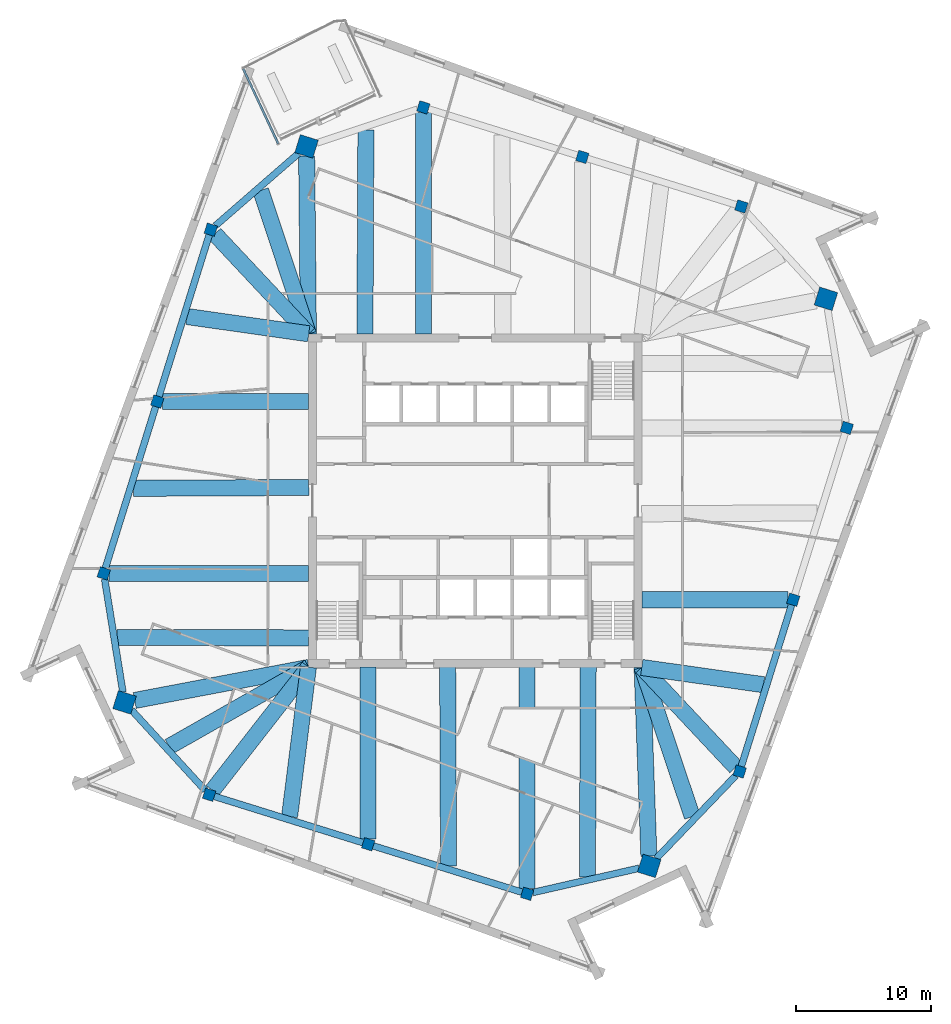
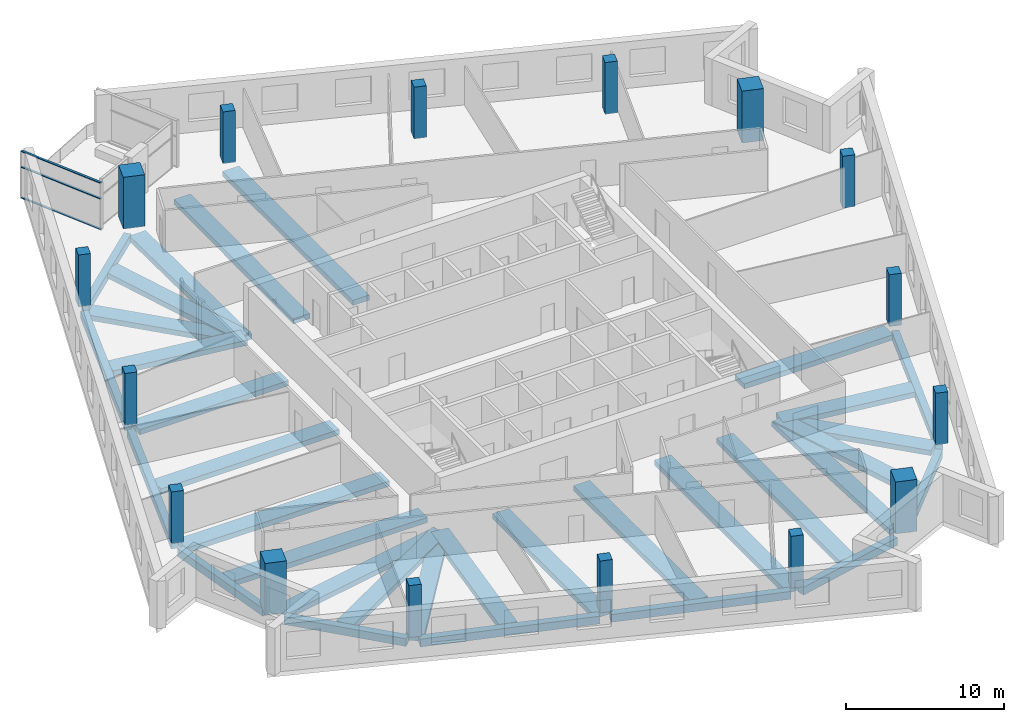
# One storey, part 1 of 13: 33 beams, 16 columns, 3 members, 1 element without a shape of its own.
"""IFC4 building model written with IfcOpenShell, lengths in metres."""

from ifc_helpers import new_model, si_unit, direction, frame, origin, origin_2d, place, context, subcontext, project, spatial, rectangle, extrude, material, material_profile, profile_set, type_object, element, aggregate, save


model = new_model("IFC4")

# Units and contexts
model_context = context("Model", 3, precision=1e-05, world=origin(), true_north=direction((0.0, 1.0)))
body_context = subcontext(model_context, "Body", "Model", "MODEL_VIEW")
ifc_project = project(units=[si_unit("LENGTHUNIT", "METRE"), si_unit("AREAUNIT", "SQUARE_METRE"), si_unit("VOLUMEUNIT", "CUBIC_METRE"), si_unit("PLANEANGLEUNIT", "RADIAN"), si_unit("MASSUNIT", "GRAM", prefix="KILO")], contexts=[model_context])

# Site, building, storey
site_placement = place(None, origin())
site = spatial("IfcSite", under=ifc_project, at=site_placement, CompositionType="ELEMENT")
building_placement = place(site_placement, origin())
building = spatial("IfcBuilding", under=site, at=building_placement, Name="Dilmun Exchange Tower", CompositionType="ELEMENT")
storey_placement = place(building_placement, frame((0.0, 0.0, 308.5)))
storey = spatial("IfcBuildingStorey", under=building, at=storey_placement, Name="L73", CompositionType="ELEMENT", Elevation=308.5)

# Columns
ifc_material_1 = material(Name="Concrete C50/60", Category="concrete")
ifc_material_profile_1 = material_profile(ifc_material_1, rectangle(XDim=1.39990234375, YDim=1.39990234375, at=origin_2d()), Name="1400 x 1400")
ifc_profile_set_1 = profile_set([ifc_material_profile_1], Name="Concrete C50/60")
column_type_1 = type_object("IfcColumnType", Name="RC mega column 1400 x 1400 C50/60", PredefinedType="COLUMN", material=ifc_profile_set_1)
for number, where, z_axis, x_axis, name in (
    (1, (-12.537109375, 26.322021484375, 0.0), (0.0, 0.0, 1.0), (0.297503182032, 0.954720826567, 0.0), "Mega column M1"),
    (2, (-26.06005859375, -14.9951171875, 0.0), (0.0, 0.0, 1.0), (0.297503182032, 0.954720826567, 0.0), "Mega column M2"),
    (3, (12.928955078125, -27.14404296875, 0.0), (0.0, 0.0, 1.0), (0.297503182032, 0.954720826567, 0.0), "Mega column M3"),
    (4, (26.06005859375, 14.9951171875, 0.0), (0.0, 0.0, 1.0), (0.297503182032, 0.954720826567, 0.0), "Mega column M4"),
):
    element("IfcColumn", number, at=place(storey_placement, frame(where, z_axis=z_axis, x_axis=x_axis)), inside=storey, type_object=column_type_1, Name=name, PredefinedType="COLUMN", context=body_context, shape_type="SweptSolid", body=[
        extrude(rectangle(XDim=1.39990234375, YDim=1.39990234375, at=origin_2d()), origin(), (0.0, 0.0, 1.0), 4.0),
    ])
ifc_material_profile_2 = material_profile(ifc_material_1, rectangle(XDim=0.800048828125, YDim=0.800048828125, at=origin_2d()), Name="800 x 800")
ifc_profile_set_2 = profile_set([ifc_material_profile_2], Name="Concrete C50/60")
column_type_2 = type_object("IfcColumnType", Name="RC ring column 800 x 800 C50/60", PredefinedType="COLUMN", material=ifc_profile_set_2)
for number, where, z_axis, x_axis, name in (
    (5, (-19.64990234375, 20.133056640625, 0.0), (0.0, 0.0, 1.0), (0.297503182032, 0.954720826567, 0.0), "Ring column R01"),
    (6, (-23.62890625, 7.363037109375, 0.0), (0.0, 0.0, 1.0), (0.297503182032, 0.954720826567, 0.0), "Ring column R02"),
    (7, (-27.60791015625, -5.406005859375, 0.0), (0.0, 0.0, 1.0), (0.297503182032, 0.954720826567, 0.0), "Ring column R03"),
    (8, (-19.77294921875, -21.85693359375, 0.0), (0.0, 0.0, 1.0), (0.297503182032, 0.954720826567, 0.0), "Ring column R04"),
    (9, (-7.9580078125, -25.5390625, 0.0), (0.0, 0.0, 1.0), (0.297503182032, 0.954720826567, 0.0), "Ring column R05"),
    (10, (3.85595703125, -29.219970703125, 0.0), (0.0, 0.0, 1.0), (0.297503182032, 0.954720826567, 0.0), "Ring column R06"),
    (11, (19.64990234375, -20.133056640625, 0.0), (0.0, 0.0, 1.0), (0.297503182032, 0.954720826567, 0.0), "Ring column R07"),
    (12, (23.62890625, -7.363037109375, 0.0), (0.0, 0.0, 1.0), (0.297503182032, 0.954720826567, 0.0), "Ring column R08"),
    (13, (27.60791015625, 5.406005859375, 0.0), (0.0, 0.0, 1.0), (0.297503182032, 0.954720826567, 0.0), "Ring column R09"),
    (14, (19.77294921875, 21.85693359375, 0.0), (0.0, 0.0, 1.0), (0.297503182032, 0.954720826567, 0.0), "Ring column R10"),
    (15, (7.9580078125, 25.5390625, 0.0), (0.0, 0.0, 1.0), (0.297503182032, 0.954720826567, 0.0), "Ring column R11"),
    (16, (-3.85595703125, 29.219970703125, 0.0), (0.0, 0.0, 1.0), (0.297503182032, 0.954720826567, 0.0), "Ring column R12"),
):
    element("IfcColumn", number, at=place(storey_placement, frame(where, z_axis=z_axis, x_axis=x_axis)), inside=storey, type_object=column_type_2, Name=name, PredefinedType="COLUMN", context=body_context, shape_type="SweptSolid", body=[
        extrude(rectangle(XDim=0.800048828125, YDim=0.800048828125, at=origin_2d()), origin(), (0.0, 0.0, 1.0), 4.0),
    ])

# Curtain wall, members
ifc_material_2 = material(Name="Anodised aluminium and clear glass", Category="aluminium")
curtain_wall_type = type_object("IfcCurtainWallType", Name="Garden corner glazing", PredefinedType="NOTDEFINED", material=ifc_material_2)
curtain_wall_placement = place(storey_placement, origin())
curtain_wall = element("IfcCurtainWall", 17, at=curtain_wall_placement, inside=storey, type_object=curtain_wall_type, Name="Garden corner glazing run GC3.1", PredefinedType="NOTDEFINED")
ifc_material_3 = material(Name="Anodised aluminium", Category="aluminium")
ifc_material_profile_3 = material_profile(ifc_material_3, rectangle(XDim=0.159912109375, YDim=0.06005859375, at=origin_2d()), Name="AL 60x160")
ifc_profile_set_3 = profile_set([ifc_material_profile_3], Name="Anodised aluminium")
member_type = type_object("IfcMemberType", Name="Garden corner glazing transom 60 x 160", PredefinedType="USERDEFINED", material=ifc_profile_set_3)
member_1_placement = place(storey_placement, frame((-14.649658203125, 26.5234375, 0.030029296875), z_axis=(-0.422610567282, 0.906311374982, 0.0), x_axis=(-0.906311374982, -0.422610567282, 0.0)))
member_1 = element("IfcMember", 18, at=member_1_placement, type_object=member_type, Name="GC3.1 transom 1.1", ObjectType="TRANSOM", PredefinedType="USERDEFINED", context=body_context, shape_type="SweptSolid", body=[
    extrude(rectangle(XDim=0.159912109375, YDim=0.06005859375, at=origin_2d()), origin(), (0.0, 0.0, 1.0), 6.12646484375),
])
member_2_placement = place(storey_placement, frame((-14.649658203125, 26.5234375, 2.39990234375), z_axis=(-0.422610567282, 0.906311374982, 0.0), x_axis=(-0.906311374982, -0.422610567282, 0.0)))
member_2 = element("IfcMember", 19, at=member_2_placement, type_object=member_type, Name="GC3.1 transom 1.2", ObjectType="TRANSOM", PredefinedType="USERDEFINED", context=body_context, shape_type="SweptSolid", body=[
    extrude(rectangle(XDim=0.159912109375, YDim=0.06005859375, at=origin_2d()), origin(), (0.0, 0.0, 1.0), 6.12646484375),
])
member_3_placement = place(storey_placement, frame((-14.649658203125, 26.5234375, 3.6201171875), z_axis=(-0.422610567282, 0.906311374982, 0.0), x_axis=(-0.906311374982, -0.422610567282, 0.0)))
member_3 = element("IfcMember", 20, at=member_3_placement, type_object=member_type, Name="GC3.1 transom 1.3", ObjectType="TRANSOM", PredefinedType="USERDEFINED", context=body_context, shape_type="SweptSolid", body=[
    extrude(rectangle(XDim=0.159912109375, YDim=0.06005859375, at=origin_2d()), origin(), (0.0, 0.0, 1.0), 6.12646484375),
])
aggregate(curtain_wall, [member_1, member_2, member_3])

# Beams
ifc_material_4 = material(Name="Concrete C40/50", Category="concrete")
ifc_material_profile_4 = material_profile(ifc_material_4, rectangle(XDim=1.199951171875, YDim=0.39990234375, at=origin_2d()), Name="1200 x 400")
ifc_profile_set_4 = profile_set([ifc_material_profile_4], Name="Concrete C40/50")
beam_type_1 = type_object("IfcBeamType", Name="RC band beam 1200 x 400 C40/50", PredefinedType="BEAM", material=ifc_profile_set_4)
beam_1_placement = place(storey_placement, frame((-12.530029296875, 25.613525390625, -0.64990234375), z_axis=(0.009845926203, -0.999951527694, 0.0), x_axis=(0.999951527694, 0.009845926203, 0.0)))
element("IfcBeam", 21, at=beam_1_placement, inside=storey, type_object=beam_type_1, Name="Band beam 1", PredefinedType="BEAM", context=body_context, shape_type="SweptSolid", body=[
    extrude(rectangle(XDim=1.199951171875, YDim=0.39990234375, at=origin_2d()), origin(), (0.0, 0.0, 1.0), 13.2412109375),
])
beam_2_placement = place(storey_placement, frame((-19.35400390625, 19.8173828125, -0.64990234375), z_axis=(0.683952281649, -0.729526748261, 0.0), x_axis=(0.729526748261, 0.683952281649, 0.0)))
element("IfcBeam", 22, at=beam_2_placement, inside=storey, type_object=beam_type_1, Name="Band beam 2", PredefinedType="BEAM", context=body_context, shape_type="SweptSolid", body=[
    extrude(rectangle(XDim=1.199951171875, YDim=0.39990234375, at=origin_2d()), origin(), (0.0, 0.0, 1.0), 10.1943359375),
])
beam_3_placement = place(storey_placement, frame((-23.237060546875, 7.363037109375, -0.64990234375), z_axis=(1.0, 0.0, 0.0), x_axis=(0.0, 1.0, 0.0)))
element("IfcBeam", 23, at=beam_3_placement, inside=storey, type_object=beam_type_1, Name="Band beam 3", PredefinedType="BEAM", context=body_context, shape_type="SweptSolid", body=[
    extrude(rectangle(XDim=1.199951171875, YDim=0.39990234375, at=origin_2d()), origin(), (0.0, 0.0, 1.0), 10.864013671875),
])
beam_4_placement = place(storey_placement, frame((-27.216064453125, -5.406005859375, -0.64990234375), z_axis=(1.0, 0.0, 0.0), x_axis=(0.0, 1.0, 0.0)))
element("IfcBeam", 24, at=beam_4_placement, inside=storey, type_object=beam_type_1, Name="Band beam 4", PredefinedType="BEAM", context=body_context, shape_type="SweptSolid", body=[
    extrude(rectangle(XDim=1.199951171875, YDim=0.39990234375, at=origin_2d()), origin(), (0.0, 0.0, 1.0), 14.843017578125),
])
beam_5_placement = place(storey_placement, frame((-25.30712890625, -14.85205078125, -0.64990234375), z_axis=(0.982429348436, 0.18663487169, 0.0), x_axis=(-0.18663487169, 0.982429348436, 0.0)))
element("IfcBeam", 25, at=beam_5_placement, inside=storey, type_object=beam_type_1, Name="Band beam 5", PredefinedType="BEAM", context=body_context, shape_type="SweptSolid", body=[
    extrude(rectangle(XDim=1.199951171875, YDim=0.39990234375, at=origin_2d()), origin(), (0.0, 0.0, 1.0), 13.164794921875),
])
beam_6_placement = place(storey_placement, frame((-19.52685546875, -21.541259765625, -0.64990234375), z_axis=(0.614856714099, 0.788638840743, 0.0), x_axis=(-0.788638840743, 0.614856714099, 0.0)))
element("IfcBeam", 26, at=beam_6_placement, inside=storey, type_object=beam_type_1, Name="Band beam 6", PredefinedType="BEAM", context=body_context, shape_type="SweptSolid", body=[
    extrude(rectangle(XDim=1.199951171875, YDim=0.39990234375, at=origin_2d()), origin(), (0.0, 0.0, 1.0), 11.6181640625),
])
beam_7_placement = place(storey_placement, frame((-7.9580078125, -25.14697265625, -0.64990234375), z_axis=(0.0, 1.0, 0.0), x_axis=(-1.0, 0.0, 0.0)))
element("IfcBeam", 27, at=beam_7_placement, inside=storey, type_object=beam_type_1, Name="Band beam 7", PredefinedType="BEAM", context=body_context, shape_type="SweptSolid", body=[
    extrude(rectangle(XDim=1.199951171875, YDim=0.39990234375, at=origin_2d()), origin(), (0.0, 0.0, 1.0), 12.77392578125),
])
beam_8_placement = place(storey_placement, frame((3.85595703125, -28.827880859375, -0.64990234375), z_axis=(0.0, 1.0, 0.0), x_axis=(-1.0, 0.0, 0.0)))
element("IfcBeam", 28, at=beam_8_placement, inside=storey, type_object=beam_type_1, Name="Band beam 8", PredefinedType="BEAM", context=body_context, shape_type="SweptSolid", body=[
    extrude(rectangle(XDim=1.199951171875, YDim=0.39990234375, at=origin_2d()), origin(), (0.0, 0.0, 1.0), 16.454833984375),
])
beam_9_placement = place(storey_placement, frame((12.9033203125, -26.429443359375, -0.64990234375), z_axis=(-0.035860549827, 0.999356803632, 0.0), x_axis=(-0.999356803632, -0.035860549827, 0.0)))
element("IfcBeam", 29, at=beam_9_placement, inside=storey, type_object=beam_type_1, Name="Band beam 9", PredefinedType="BEAM", context=body_context, shape_type="SweptSolid", body=[
    extrude(rectangle(XDim=1.199951171875, YDim=0.39990234375, at=origin_2d()), origin(), (0.0, 0.0, 1.0), 14.0654296875),
])
beam_10_placement = place(storey_placement, frame((19.35400390625, -19.8173828125, -0.64990234375), z_axis=(-0.683952281649, 0.729526748261, 0.0), x_axis=(-0.729526748261, -0.683952281649, 0.0)))
element("IfcBeam", 30, at=beam_10_placement, inside=storey, type_object=beam_type_1, Name="Band beam 10", PredefinedType="BEAM", context=body_context, shape_type="SweptSolid", body=[
    extrude(rectangle(XDim=1.199951171875, YDim=0.39990234375, at=origin_2d()), origin(), (0.0, 0.0, 1.0), 10.1943359375),
])
beam_11_placement = place(storey_placement, frame((23.237060546875, -7.363037109375, -0.64990234375), z_axis=(-1.0, 0.0, 0.0), x_axis=(0.0, -1.0, 0.0)))
element("IfcBeam", 31, at=beam_11_placement, inside=storey, type_object=beam_type_1, Name="Band beam 11", PredefinedType="BEAM", context=body_context, shape_type="SweptSolid", body=[
    extrude(rectangle(XDim=1.199951171875, YDim=0.39990234375, at=origin_2d()), origin(), (0.0, 0.0, 1.0), 10.864013671875),
])
beam_12_placement = place(storey_placement, frame((-3.85595703125, 28.827880859375, -0.64990234375), z_axis=(0.0, -1.0, 0.0), x_axis=(1.0, 0.0, 0.0)))
element("IfcBeam", 32, at=beam_12_placement, inside=storey, type_object=beam_type_1, Name="Band beam 16", PredefinedType="BEAM", context=body_context, shape_type="SweptSolid", body=[
    extrude(rectangle(XDim=1.199951171875, YDim=0.39990234375, at=origin_2d()), origin(), (0.0, 0.0, 1.0), 16.454833984375),
])
beam_13_placement = place(storey_placement, frame((-15.947021484375, 23.059326171875, -0.550048828125), z_axis=(0.315752926282, -0.948841445946, 0.0), x_axis=(0.948841445946, 0.315752926282, 0.0)))
element("IfcBeam", 33, at=beam_13_placement, inside=storey, type_object=beam_type_1, Name="Band beam 17", PredefinedType="BEAM", context=body_context, shape_type="SweptSolid", body=[
    extrude(rectangle(XDim=1.199951171875, YDim=0.39990234375, at=origin_2d()), origin(), (0.0, 0.0, 1.0), 11.260986328125),
])
beam_14_placement = place(storey_placement, frame((-21.426513671875, 13.681640625, -0.550048828125), z_axis=(0.990066629404, -0.140598966357, 0.0), x_axis=(0.140598966357, 0.990066629404, 0.0)))
element("IfcBeam", 34, at=beam_14_placement, inside=storey, type_object=beam_type_1, Name="Band beam 18", PredefinedType="BEAM", context=body_context, shape_type="SweptSolid", body=[
    extrude(rectangle(XDim=1.199951171875, YDim=0.39990234375, at=origin_2d()), origin(), (0.0, 0.0, 1.0), 9.14404296875),
])
beam_15_placement = place(storey_placement, frame((-25.405517578125, 0.912109375, -0.550048828125), z_axis=(0.999987018468, 0.005095379798, 0.0), x_axis=(-0.005095379798, 0.999987018468, 0.0)))
element("IfcBeam", 35, at=beam_15_placement, inside=storey, type_object=beam_type_1, Name="Band beam 19", PredefinedType="BEAM", context=body_context, shape_type="SweptSolid", body=[
    extrude(rectangle(XDim=1.199951171875, YDim=0.39990234375, at=origin_2d()), origin(), (0.0, 0.0, 1.0), 13.03271484375),
])
beam_16_placement = place(storey_placement, frame((-26.614013671875, -10.1650390625, -0.550048828125), z_axis=(0.999996910379, -0.002485806038, 0.0), x_axis=(0.002485806038, 0.999996910379, 0.0)))
element("IfcBeam", 36, at=beam_16_placement, inside=storey, type_object=beam_type_1, Name="Band beam 20", PredefinedType="BEAM", context=body_context, shape_type="SweptSolid", body=[
    extrude(rectangle(XDim=1.199951171875, YDim=0.39990234375, at=origin_2d()), origin(), (0.0, 0.0, 1.0), 14.240966796875),
])
beam_17_placement = place(storey_placement, frame((-22.752197265625, -18.275390625, -0.550048828125), z_axis=(0.869690188955, 0.493597989496, 0.0), x_axis=(-0.493597989496, 0.869690188955, 0.0)))
element("IfcBeam", 37, at=beam_17_placement, inside=storey, type_object=beam_type_1, Name="Band beam 21", PredefinedType="BEAM", context=body_context, shape_type="SweptSolid", body=[
    extrude(rectangle(XDim=1.199951171875, YDim=0.39990234375, at=origin_2d()), origin(), (0.0, 0.0, 1.0), 11.93017578125),
])
beam_18_placement = place(storey_placement, frame((-13.79931640625, -23.485107421875, -0.550048828125), z_axis=(0.125252659456, 0.992124876867, 0.0), x_axis=(-0.992124876867, 0.125252659456, 0.0)))
element("IfcBeam", 38, at=beam_18_placement, inside=storey, type_object=beam_type_1, Name="Band beam 22", PredefinedType="BEAM", context=body_context, shape_type="SweptSolid", body=[
    extrude(rectangle(XDim=1.199951171875, YDim=0.39990234375, at=origin_2d()), origin(), (0.0, 0.0, 1.0), 11.199951171875),
])
beam_19_placement = place(storey_placement, frame((-1.984619140625, -27.16650390625, -0.550048828125), z_axis=(-0.004488848064, 0.999989925071, 0.0), x_axis=(-0.999989925071, -0.004488848064, 0.0)))
element("IfcBeam", 39, at=beam_19_placement, inside=storey, type_object=beam_type_1, Name="Band beam 23", PredefinedType="BEAM", context=body_context, shape_type="SweptSolid", body=[
    extrude(rectangle(XDim=1.199951171875, YDim=0.39990234375, at=origin_2d()), origin(), (0.0, 0.0, 1.0), 14.793701171875),
])
beam_20_placement = place(storey_placement, frame((8.3427734375, -27.964599609375, -0.550048828125), z_axis=(0.003194321582, 0.999994898142, 0.0), x_axis=(-0.999994898142, 0.003194321582, 0.0)))
element("IfcBeam", 40, at=beam_20_placement, inside=storey, type_object=beam_type_1, Name="Band beam 24", PredefinedType="BEAM", context=body_context, shape_type="SweptSolid", body=[
    extrude(rectangle(XDim=1.199951171875, YDim=0.39990234375, at=origin_2d()), origin(), (0.0, 0.0, 1.0), 15.591552734375),
])
beam_21_placement = place(storey_placement, frame((16.12841796875, -23.484130859375, -0.550048828125), z_axis=(-0.318844720982, 0.947806965527, 0.0), x_axis=(-0.947806965527, -0.318844720982, 0.0)))
element("IfcBeam", 41, at=beam_21_placement, inside=storey, type_object=beam_type_1, Name="Band beam 25", PredefinedType="BEAM", context=body_context, shape_type="SweptSolid", body=[
    extrude(rectangle(XDim=1.199951171875, YDim=0.39990234375, at=origin_2d()), origin(), (0.0, 0.0, 1.0), 11.721435546875),
])
beam_22_placement = place(storey_placement, frame((21.426513671875, -13.681640625, -0.550048828125), z_axis=(-0.990066629404, 0.140598966357, 0.0), x_axis=(-0.140598966357, -0.990066629404, 0.0)))
element("IfcBeam", 42, at=beam_22_placement, inside=storey, type_object=beam_type_1, Name="Band beam 26", PredefinedType="BEAM", context=body_context, shape_type="SweptSolid", body=[
    extrude(rectangle(XDim=1.199951171875, YDim=0.39990234375, at=origin_2d()), origin(), (0.0, 0.0, 1.0), 9.14404296875),
])
beam_23_placement = place(storey_placement, frame((-8.1259765625, 27.5595703125, -0.550048828125), z_axis=(-0.00464595333, -0.999989207501, 0.0), x_axis=(0.999989207501, -0.00464595333, 0.0)))
element("IfcBeam", 43, at=beam_23_placement, inside=storey, type_object=beam_type_1, Name="Band beam 32", PredefinedType="BEAM", context=body_context, shape_type="SweptSolid", body=[
    extrude(rectangle(XDim=1.199951171875, YDim=0.39990234375, at=origin_2d()), origin(), (0.0, 0.0, 1.0), 15.186767578125),
])
ifc_material_profile_5 = material_profile(ifc_material_4, rectangle(XDim=0.5, YDim=0.60009765625, at=origin_2d()), Name="500 x 600")
ifc_profile_set_5 = profile_set([ifc_material_profile_5], Name="Concrete C40/50")
beam_type_2 = type_object("IfcBeamType", Name="RC ring beam 500 x 600 C40/50", PredefinedType="SPANDREL", material=ifc_profile_set_5)
beam_24_placement = place(storey_placement, frame((-13.13720703125, 25.7998046875, -0.64990234375), z_axis=(-0.754412964807, -0.656400090289, 0.0), x_axis=(0.656400090289, -0.754412964807, 0.0)))
element("IfcBeam", 44, at=beam_24_placement, inside=storey, type_object=beam_type_2, Name="Ring beam 1", PredefinedType="SPANDREL", context=body_context, shape_type="SweptSolid", body=[
    extrude(rectangle(XDim=0.5, YDim=0.60009765625, at=origin_2d()), origin(), (0.0, 0.0, 1.0), 8.190185546875),
])
beam_25_placement = place(storey_placement, frame((-19.760986328125, 19.77685546875, -0.64990234375), z_axis=(-0.297481296371, -0.954727646143, 0.0), x_axis=(0.954727646143, -0.297481296371, 0.0)))
element("IfcBeam", 45, at=beam_25_placement, inside=storey, type_object=beam_type_2, Name="Ring beam 2", PredefinedType="SPANDREL", context=body_context, shape_type="SweptSolid", body=[
    extrude(rectangle(XDim=0.5, YDim=0.60009765625, at=origin_2d()), origin(), (0.0, 0.0, 1.0), 12.629638671875),
])
beam_26_placement = place(storey_placement, frame((-23.739990234375, 7.0068359375, -0.64990234375), z_axis=(-0.297508749799, -0.954719091562, 0.0), x_axis=(0.954719091562, -0.297508749799, 0.0)))
element("IfcBeam", 46, at=beam_26_placement, inside=storey, type_object=beam_type_2, Name="Ring beam 3", PredefinedType="SPANDREL", context=body_context, shape_type="SweptSolid", body=[
    extrude(rectangle(XDim=0.5, YDim=0.60009765625, at=origin_2d()), origin(), (0.0, 0.0, 1.0), 12.62841796875),
])
beam_27_placement = place(storey_placement, frame((-27.541015625, -5.820556640625, -0.64990234375), z_axis=(0.159356501233, -0.987221102649, 0.0), x_axis=(0.987221102649, 0.159356501233, 0.0)))
element("IfcBeam", 47, at=beam_27_placement, inside=storey, type_object=beam_type_2, Name="Ring beam 4", PredefinedType="SPANDREL", context=body_context, shape_type="SweptSolid", body=[
    extrude(rectangle(XDim=0.5, YDim=0.60009765625, at=origin_2d()), origin(), (0.0, 0.0, 1.0), 8.5380859375),
])
beam_28_placement = place(storey_placement, frame((-25.531005859375, -15.572265625, -0.64990234375), z_axis=(0.675535971399, -0.737327031476, 0.0), x_axis=(0.737327031476, 0.675535971399, 0.0)))
element("IfcBeam", 48, at=beam_28_placement, inside=storey, type_object=beam_type_2, Name="Ring beam 5", PredefinedType="SPANDREL", context=body_context, shape_type="SweptSolid", body=[
    extrude(rectangle(XDim=0.5, YDim=0.60009765625, at=origin_2d()), origin(), (0.0, 0.0, 1.0), 8.087890625),
])
beam_29_placement = place(storey_placement, frame((-19.4169921875, -21.968017578125, -0.64990234375), z_axis=(0.95471613385, -0.297518241065, 0.0), x_axis=(0.297518241065, 0.95471613385, 0.0)))
element("IfcBeam", 49, at=beam_29_placement, inside=storey, type_object=beam_type_2, Name="Ring beam 6", PredefinedType="SPANDREL", context=body_context, shape_type="SweptSolid", body=[
    extrude(rectangle(XDim=0.5, YDim=0.60009765625, at=origin_2d()), origin(), (0.0, 0.0, 1.0), 11.62939453125),
])
beam_30_placement = place(storey_placement, frame((-7.601806640625, -25.64990234375, -0.64990234375), z_axis=(0.954732553331, -0.297465546931, 0.0), x_axis=(0.297465546931, 0.954732553331, 0.0)))
element("IfcBeam", 50, at=beam_30_placement, inside=storey, type_object=beam_type_2, Name="Ring beam 7", PredefinedType="SPANDREL", context=body_context, shape_type="SweptSolid", body=[
    extrude(rectangle(XDim=0.5, YDim=0.60009765625, at=origin_2d()), origin(), (0.0, 0.0, 1.0), 11.628173828125),
])
beam_31_placement = place(storey_placement, frame((4.28076171875, -29.122802734375, -0.64990234375), z_axis=(0.974807153913, 0.223049350324, 0.0), x_axis=(-0.223049350324, 0.974807153913, 0.0)))
element("IfcBeam", 51, at=beam_31_placement, inside=storey, type_object=beam_type_2, Name="Ring beam 8", PredefinedType="SPANDREL", context=body_context, shape_type="SweptSolid", body=[
    extrude(rectangle(XDim=0.5, YDim=0.60009765625, at=origin_2d()), origin(), (0.0, 0.0, 1.0), 8.0888671875),
])
beam_32_placement = place(storey_placement, frame((13.451416015625, -26.598876953125, -0.64990234375), z_axis=(0.692021502551, 0.721876887016, 0.0), x_axis=(-0.721876887016, 0.692021502551, 0.0)))
element("IfcBeam", 52, at=beam_32_placement, inside=storey, type_object=beam_type_2, Name="Ring beam 9", PredefinedType="SPANDREL", context=body_context, shape_type="SweptSolid", body=[
    extrude(rectangle(XDim=0.5, YDim=0.60009765625, at=origin_2d()), origin(), (0.0, 0.0, 1.0), 8.537353515625),
])
beam_33_placement = place(storey_placement, frame((19.760986328125, -19.77685546875, -0.64990234375), z_axis=(0.297481296371, 0.954727646143, 0.0), x_axis=(-0.954727646143, 0.297481296371, 0.0)))
element("IfcBeam", 53, at=beam_33_placement, inside=storey, type_object=beam_type_2, Name="Ring beam 10", PredefinedType="SPANDREL", context=body_context, shape_type="SweptSolid", body=[
    extrude(rectangle(XDim=0.5, YDim=0.60009765625, at=origin_2d()), origin(), (0.0, 0.0, 1.0), 12.629638671875),
])

save(model, "model.ifc")
